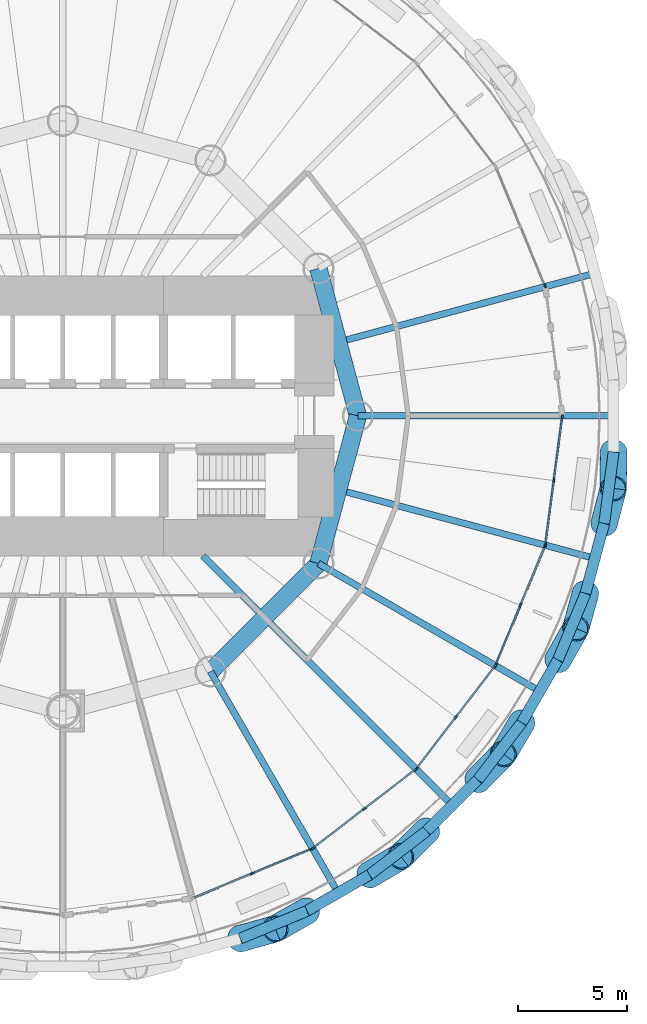
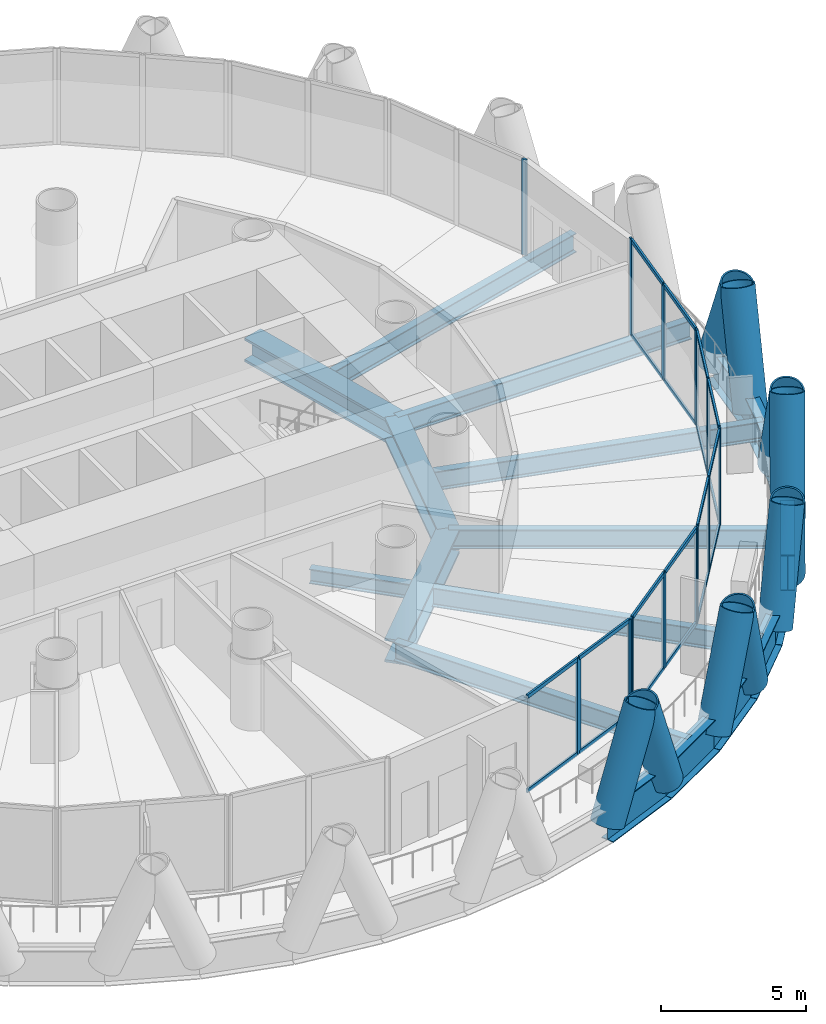
# One storey, part 4 of 16: 45 members, 19 beams, 6 elements without a shape of their own.
"""IFC4 building model written with IfcOpenShell, lengths in metres."""

from ifc_helpers import new_model, si_unit, direction, frame, origin, origin_2d, place, context, subcontext, project, spatial, rectangle, hollow_circle, i_section, extrude, material, material_profile, profile_set, type_object, element, aggregate, save


model = new_model("IFC4")

# Units and contexts
model_context = context("Model", 3, precision=1e-05, world=origin(), true_north=direction((0.0, 1.0)))
body_context = subcontext(model_context, "Body", "Model", "MODEL_VIEW")
ifc_project = project(units=[si_unit("LENGTHUNIT", "METRE"), si_unit("AREAUNIT", "SQUARE_METRE"), si_unit("VOLUMEUNIT", "CUBIC_METRE"), si_unit("PLANEANGLEUNIT", "RADIAN"), si_unit("MASSUNIT", "GRAM", prefix="KILO")], contexts=[model_context])

# Site, building, storey
site_placement = place(None, origin())
site = spatial("IfcSite", under=ifc_project, at=site_placement, CompositionType="ELEMENT")
building_placement = place(site_placement, origin())
building = spatial("IfcBuilding", under=site, at=building_placement, Name="Qaws Media Tower", CompositionType="ELEMENT")
storey_placement = place(building_placement, frame((0.0, 0.0, 63.800048828125)))
storey = spatial("IfcBuildingStorey", under=building, at=storey_placement, Name="L13", CompositionType="ELEMENT", Elevation=63.800048828125)

# Curtain wall, member
ifc_material_1 = material(Name="Aluminium and clear glass", Category="aluminium")
curtain_wall_type = type_object("IfcCurtainWallType", Name="Unitised curtain wall CW-A", PredefinedType="NOTDEFINED", material=ifc_material_1)
curtain_wall_1_placement = place(storey_placement, origin())
curtain_wall_1 = element("IfcCurtainWall", 1, at=curtain_wall_1_placement, inside=storey, type_object=curtain_wall_type, Name="CWA curtain wall L13-02", PredefinedType="NOTDEFINED")
ifc_material_2 = material(Name="Aluminium mullion", Category="aluminium")
ifc_material_profile_1 = material_profile(ifc_material_2, rectangle(XDim=0.080078125, YDim=0.199951171875, at=origin_2d()), Name="80x200")
ifc_profile_set_1 = profile_set([ifc_material_profile_1], Name="Aluminium mullion")
member_type_1 = type_object("IfcMemberType", Name="Curtain wall mullion 80x200", PredefinedType="MULLION", material=ifc_profile_set_1)
member_1_placement = place(storey_placement, frame((82.05615234375, 55.950927734375, 0.0), z_axis=(0.0, 0.0, 1.0), x_axis=(-0.923879516448, -0.382683471145, 0.0)))
member_1 = element("IfcMember", 2, at=member_1_placement, type_object=member_type_1, Name="CWA mullion 1", PredefinedType="MULLION", context=body_context, shape_type="SweptSolid", body=[
    extrude(rectangle(XDim=0.080078125, YDim=0.199951171875, at=origin_2d()), origin(), (0.0, 0.0, 1.0), 4.0400390625),
])
aggregate(curtain_wall_1, [member_1])

# Curtain wall, members
curtain_wall_2_placement = place(storey_placement, origin())
curtain_wall_2 = element("IfcCurtainWall", 3, at=curtain_wall_2_placement, inside=storey, type_object=curtain_wall_type, Name="CWA curtain wall L13-20", PredefinedType="NOTDEFINED")
member_2_placement = place(storey_placement, frame((68.66943359375, 29.070068359375, 0.0), z_axis=(0.0, 0.0, 1.0), x_axis=(-0.382683471145, 0.923879516448, 0.0)))
member_2 = element("IfcMember", 4, at=member_2_placement, type_object=member_type_1, Name="CWA mullion 2", PredefinedType="MULLION", context=body_context, shape_type="SweptSolid", body=[
    extrude(rectangle(XDim=0.080078125, YDim=0.199951171875, at=origin_2d()), origin(), (0.0, 0.0, 1.0), 4.0400390625),
])
member_3_placement = place(storey_placement, frame((71.387939453125, 30.196044921875, 0.0), z_axis=(0.0, 0.0, 1.0), x_axis=(-0.382683471145, 0.923879516448, 0.0)))
member_3 = element("IfcMember", 5, at=member_3_placement, type_object=member_type_1, Name="CWA mullion 3", PredefinedType="MULLION", context=body_context, shape_type="SweptSolid", body=[
    extrude(rectangle(XDim=0.080078125, YDim=0.199951171875, at=origin_2d()), origin(), (0.0, 0.0, 1.0), 4.0400390625),
])

curtain_wall_3_placement = place(storey_placement, origin())
curtain_wall_3 = element("IfcCurtainWall", 6, at=curtain_wall_3_placement, inside=storey, type_object=curtain_wall_type, Name="CWA curtain wall L13-21", PredefinedType="NOTDEFINED")
member_4_placement = place(storey_placement, frame((71.456787109375, 30.235595703125, 0.0), z_axis=(0.0, 0.0, 1.0), x_axis=(-0.608761369427, 0.79335338601, 0.0)))
member_4 = element("IfcMember", 7, at=member_4_placement, type_object=member_type_1, Name="CWA mullion 1", PredefinedType="MULLION", context=body_context, shape_type="SweptSolid", body=[
    extrude(rectangle(XDim=0.080078125, YDim=0.199951171875, at=origin_2d()), origin(), (0.0, 0.0, 1.0), 4.0400390625),
])
member_5_placement = place(storey_placement, frame((73.791259765625, 32.02685546875, 0.0), z_axis=(0.0, 0.0, 1.0), x_axis=(-0.608761369427, 0.79335338601, 0.0)))
member_5 = element("IfcMember", 8, at=member_5_placement, type_object=member_type_1, Name="CWA mullion 2", PredefinedType="MULLION", context=body_context, shape_type="SweptSolid", body=[
    extrude(rectangle(XDim=0.080078125, YDim=0.199951171875, at=origin_2d()), origin(), (0.0, 0.0, 1.0), 4.0400390625),
])
member_6_placement = place(storey_placement, frame((76.125732421875, 33.818359375, 0.0), z_axis=(0.0, 0.0, 1.0), x_axis=(-0.608761369427, 0.79335338601, 0.0)))
member_6 = element("IfcMember", 9, at=member_6_placement, type_object=member_type_1, Name="CWA mullion 3", PredefinedType="MULLION", context=body_context, shape_type="SweptSolid", body=[
    extrude(rectangle(XDim=0.080078125, YDim=0.199951171875, at=origin_2d()), origin(), (0.0, 0.0, 1.0), 4.0400390625),
])

curtain_wall_4_placement = place(storey_placement, origin())
curtain_wall_4 = element("IfcCurtainWall", 10, at=curtain_wall_4_placement, inside=storey, type_object=curtain_wall_type, Name="CWA curtain wall L13-22", PredefinedType="NOTDEFINED")
member_7_placement = place(storey_placement, frame((76.181640625, 33.874267578125, 0.0), z_axis=(0.0, 0.0, 1.0), x_axis=(-0.79335338601, 0.608761369427, 0.0)))
member_7 = element("IfcMember", 11, at=member_7_placement, type_object=member_type_1, Name="CWA mullion 1", PredefinedType="MULLION", context=body_context, shape_type="SweptSolid", body=[
    extrude(rectangle(XDim=0.080078125, YDim=0.199951171875, at=origin_2d()), origin(), (0.0, 0.0, 1.0), 4.0400390625),
])
member_8_placement = place(storey_placement, frame((77.97314453125, 36.208740234375, 0.0), z_axis=(0.0, 0.0, 1.0), x_axis=(-0.79335338601, 0.608761369427, 0.0)))
member_8 = element("IfcMember", 12, at=member_8_placement, type_object=member_type_1, Name="CWA mullion 2", PredefinedType="MULLION", context=body_context, shape_type="SweptSolid", body=[
    extrude(rectangle(XDim=0.080078125, YDim=0.199951171875, at=origin_2d()), origin(), (0.0, 0.0, 1.0), 4.0400390625),
])
member_9_placement = place(storey_placement, frame((79.764404296875, 38.543212890625, 0.0), z_axis=(0.0, 0.0, 1.0), x_axis=(-0.79335338601, 0.608761369427, 0.0)))
member_9 = element("IfcMember", 13, at=member_9_placement, type_object=member_type_1, Name="CWA mullion 3", PredefinedType="MULLION", context=body_context, shape_type="SweptSolid", body=[
    extrude(rectangle(XDim=0.080078125, YDim=0.199951171875, at=origin_2d()), origin(), (0.0, 0.0, 1.0), 4.0400390625),
])

curtain_wall_5_placement = place(storey_placement, origin())
curtain_wall_5 = element("IfcCurtainWall", 14, at=curtain_wall_5_placement, inside=storey, type_object=curtain_wall_type, Name="CWA curtain wall L13-23", PredefinedType="NOTDEFINED")
member_10_placement = place(storey_placement, frame((79.803955078125, 38.612060546875, 0.0), z_axis=(0.0, 0.0, 1.0), x_axis=(-0.923879516448, 0.382683471145, 0.0)))
member_10 = element("IfcMember", 15, at=member_10_placement, type_object=member_type_1, Name="CWA mullion 1", PredefinedType="MULLION", context=body_context, shape_type="SweptSolid", body=[
    extrude(rectangle(XDim=0.080078125, YDim=0.199951171875, at=origin_2d()), origin(), (0.0, 0.0, 1.0), 4.0400390625),
])
member_11_placement = place(storey_placement, frame((80.929931640625, 41.33056640625, 0.0), z_axis=(0.0, 0.0, 1.0), x_axis=(-0.923879516448, 0.382683471145, 0.0)))
member_11 = element("IfcMember", 16, at=member_11_placement, type_object=member_type_1, Name="CWA mullion 2", PredefinedType="MULLION", context=body_context, shape_type="SweptSolid", body=[
    extrude(rectangle(XDim=0.080078125, YDim=0.199951171875, at=origin_2d()), origin(), (0.0, 0.0, 1.0), 4.0400390625),
])
member_12_placement = place(storey_placement, frame((82.05615234375, 44.049072265625, 0.0), z_axis=(0.0, 0.0, 1.0), x_axis=(-0.923879516448, 0.382683471145, 0.0)))
member_12 = element("IfcMember", 17, at=member_12_placement, type_object=member_type_1, Name="CWA mullion 3", PredefinedType="MULLION", context=body_context, shape_type="SweptSolid", body=[
    extrude(rectangle(XDim=0.080078125, YDim=0.199951171875, at=origin_2d()), origin(), (0.0, 0.0, 1.0), 4.0400390625),
])

curtain_wall_6_placement = place(storey_placement, origin())
curtain_wall_6 = element("IfcCurtainWall", 18, at=curtain_wall_6_placement, inside=storey, type_object=curtain_wall_type, Name="CWA curtain wall L13-24", PredefinedType="NOTDEFINED")
member_13_placement = place(storey_placement, frame((82.07666015625, 44.125732421875, 0.0), z_axis=(0.0, 0.0, 1.0), x_axis=(-0.991444858023, 0.130526217674, 0.0)))
member_13 = element("IfcMember", 19, at=member_13_placement, type_object=member_type_1, Name="CWA mullion 1", PredefinedType="MULLION", context=body_context, shape_type="SweptSolid", body=[
    extrude(rectangle(XDim=0.080078125, YDim=0.199951171875, at=origin_2d()), origin(), (0.0, 0.0, 1.0), 4.0400390625),
])
member_14_placement = place(storey_placement, frame((82.460693359375, 47.04296875, 0.0), z_axis=(0.0, 0.0, 1.0), x_axis=(-0.991444858023, 0.130526217674, 0.0)))
member_14 = element("IfcMember", 20, at=member_14_placement, type_object=member_type_1, Name="CWA mullion 2", PredefinedType="MULLION", context=body_context, shape_type="SweptSolid", body=[
    extrude(rectangle(XDim=0.080078125, YDim=0.199951171875, at=origin_2d()), origin(), (0.0, 0.0, 1.0), 4.0400390625),
])
member_15_placement = place(storey_placement, frame((82.8447265625, 49.96044921875, 0.0), z_axis=(0.0, 0.0, 1.0), x_axis=(-0.991444858023, 0.130526217674, 0.0)))
member_15 = element("IfcMember", 21, at=member_15_placement, type_object=member_type_1, Name="CWA mullion 3", PredefinedType="MULLION", context=body_context, shape_type="SweptSolid", body=[
    extrude(rectangle(XDim=0.080078125, YDim=0.199951171875, at=origin_2d()), origin(), (0.0, 0.0, 1.0), 4.0400390625),
])

# Member
ifc_material_3 = material(Name="Aluminium transom", Category="aluminium")
ifc_material_profile_2 = material_profile(ifc_material_3, rectangle(XDim=0.080078125, YDim=0.159912109375, at=origin_2d()), Name="80x160")
ifc_profile_set_2 = profile_set([ifc_material_profile_2], Name="Aluminium transom")
member_type_2 = type_object("IfcMemberType", Name="Curtain wall transom 80x160", PredefinedType="USERDEFINED", material=ifc_profile_set_2)
member_16_placement = place(storey_placement, frame((65.988037109375, 27.959228515625, 0.0400390625), z_axis=(0.923872334596, 0.382700809207, 0.0), x_axis=(-0.382700809207, 0.923872334596, 0.0)))
member_16 = element("IfcMember", 22, at=member_16_placement, type_object=member_type_2, Name="CWA transom 1.1", ObjectType="TRANSOM", PredefinedType="USERDEFINED", context=body_context, shape_type="SweptSolid", body=[
    extrude(rectangle(XDim=0.080078125, YDim=0.159912109375, at=origin_2d()), origin(), (0.0, 0.0, 1.0), 2.862548828125),
])

member_17_placement = place(storey_placement, frame((65.988037109375, 27.959228515625, 4.0), z_axis=(0.923872334596, 0.382700809207, 0.0), x_axis=(-0.382700809207, 0.923872334596, 0.0)))
member_17 = element("IfcMember", 23, at=member_17_placement, type_object=member_type_2, Name="CWA transom 1.2", ObjectType="TRANSOM", PredefinedType="USERDEFINED", context=body_context, shape_type="SweptSolid", body=[
    extrude(rectangle(XDim=0.080078125, YDim=0.159912109375, at=origin_2d()), origin(), (0.0, 0.0, 1.0), 2.862548828125),
])

member_18_placement = place(storey_placement, frame((68.70654296875, 29.085205078125, 0.0400390625), z_axis=(0.923872334596, 0.382700809207, 0.0), x_axis=(-0.382700809207, 0.923872334596, 0.0)))
member_18 = element("IfcMember", 24, at=member_18_placement, type_object=member_type_2, Name="CWA transom 2.1", ObjectType="TRANSOM", PredefinedType="USERDEFINED", context=body_context, shape_type="SweptSolid", body=[
    extrude(rectangle(XDim=0.080078125, YDim=0.159912109375, at=origin_2d()), origin(), (0.0, 0.0, 1.0), 2.862548828125),
])

member_19_placement = place(storey_placement, frame((68.70654296875, 29.085205078125, 4.0), z_axis=(0.923872334596, 0.382700809207, 0.0), x_axis=(-0.382700809207, 0.923872334596, 0.0)))
member_19 = element("IfcMember", 25, at=member_19_placement, type_object=member_type_2, Name="CWA transom 2.2", ObjectType="TRANSOM", PredefinedType="USERDEFINED", context=body_context, shape_type="SweptSolid", body=[
    extrude(rectangle(XDim=0.080078125, YDim=0.159912109375, at=origin_2d()), origin(), (0.0, 0.0, 1.0), 2.862548828125),
])

aggregate(curtain_wall_2, [member_2, member_3, member_16, member_17, member_18, member_19])

member_20_placement = place(storey_placement, frame((71.488525390625, 30.260009765625, 0.0400390625), z_axis=(0.793339979648, 0.608778840543, 0.0), x_axis=(-0.608778840543, 0.793339979648, 0.0)))
member_20 = element("IfcMember", 26, at=member_20_placement, type_object=member_type_2, Name="CWA transom 1.1", ObjectType="TRANSOM", PredefinedType="USERDEFINED", context=body_context, shape_type="SweptSolid", body=[
    extrude(rectangle(XDim=0.080078125, YDim=0.159912109375, at=origin_2d()), origin(), (0.0, 0.0, 1.0), 2.862548828125),
])

member_21_placement = place(storey_placement, frame((71.488525390625, 30.260009765625, 4.0), z_axis=(0.793339979648, 0.608778840543, 0.0), x_axis=(-0.608778840543, 0.793339979648, 0.0)))
member_21 = element("IfcMember", 27, at=member_21_placement, type_object=member_type_2, Name="CWA transom 1.2", ObjectType="TRANSOM", PredefinedType="USERDEFINED", context=body_context, shape_type="SweptSolid", body=[
    extrude(rectangle(XDim=0.080078125, YDim=0.159912109375, at=origin_2d()), origin(), (0.0, 0.0, 1.0), 2.862548828125),
])

member_22_placement = place(storey_placement, frame((73.822998046875, 32.05126953125, 0.0400390625), z_axis=(0.793339979648, 0.608778840543, 0.0), x_axis=(-0.608778840543, 0.793339979648, 0.0)))
member_22 = element("IfcMember", 28, at=member_22_placement, type_object=member_type_2, Name="CWA transom 2.1", ObjectType="TRANSOM", PredefinedType="USERDEFINED", context=body_context, shape_type="SweptSolid", body=[
    extrude(rectangle(XDim=0.080078125, YDim=0.159912109375, at=origin_2d()), origin(), (0.0, 0.0, 1.0), 2.862548828125),
])

member_23_placement = place(storey_placement, frame((73.822998046875, 32.05126953125, 4.0), z_axis=(0.793339979648, 0.608778840543, 0.0), x_axis=(-0.608778840543, 0.793339979648, 0.0)))
member_23 = element("IfcMember", 29, at=member_23_placement, type_object=member_type_2, Name="CWA transom 2.2", ObjectType="TRANSOM", PredefinedType="USERDEFINED", context=body_context, shape_type="SweptSolid", body=[
    extrude(rectangle(XDim=0.080078125, YDim=0.159912109375, at=origin_2d()), origin(), (0.0, 0.0, 1.0), 2.862548828125),
])

aggregate(curtain_wall_3, [member_4, member_5, member_6, member_20, member_21, member_22, member_23])

member_24_placement = place(storey_placement, frame((76.2060546875, 33.906005859375, 0.0400390625), z_axis=(0.608778840543, 0.793339979648, 0.0), x_axis=(-0.793339979648, 0.608778840543, 0.0)))
member_24 = element("IfcMember", 30, at=member_24_placement, type_object=member_type_2, Name="CWA transom 1.1", ObjectType="TRANSOM", PredefinedType="USERDEFINED", context=body_context, shape_type="SweptSolid", body=[
    extrude(rectangle(XDim=0.080078125, YDim=0.159912109375, at=origin_2d()), origin(), (0.0, 0.0, 1.0), 2.862548828125),
])

member_25_placement = place(storey_placement, frame((76.2060546875, 33.906005859375, 4.0), z_axis=(0.608778840543, 0.793339979648, 0.0), x_axis=(-0.793339979648, 0.608778840543, 0.0)))
member_25 = element("IfcMember", 31, at=member_25_placement, type_object=member_type_2, Name="CWA transom 1.2", ObjectType="TRANSOM", PredefinedType="USERDEFINED", context=body_context, shape_type="SweptSolid", body=[
    extrude(rectangle(XDim=0.080078125, YDim=0.159912109375, at=origin_2d()), origin(), (0.0, 0.0, 1.0), 2.862548828125),
])

member_26_placement = place(storey_placement, frame((77.997314453125, 36.240478515625, 0.0400390625), z_axis=(0.608778840543, 0.793339979648, 0.0), x_axis=(-0.793339979648, 0.608778840543, 0.0)))
member_26 = element("IfcMember", 32, at=member_26_placement, type_object=member_type_2, Name="CWA transom 2.1", ObjectType="TRANSOM", PredefinedType="USERDEFINED", context=body_context, shape_type="SweptSolid", body=[
    extrude(rectangle(XDim=0.080078125, YDim=0.159912109375, at=origin_2d()), origin(), (0.0, 0.0, 1.0), 2.862548828125),
])

member_27_placement = place(storey_placement, frame((77.997314453125, 36.240478515625, 4.0), z_axis=(0.608778840543, 0.793339979648, 0.0), x_axis=(-0.793339979648, 0.608778840543, 0.0)))
member_27 = element("IfcMember", 33, at=member_27_placement, type_object=member_type_2, Name="CWA transom 2.2", ObjectType="TRANSOM", PredefinedType="USERDEFINED", context=body_context, shape_type="SweptSolid", body=[
    extrude(rectangle(XDim=0.080078125, YDim=0.159912109375, at=origin_2d()), origin(), (0.0, 0.0, 1.0), 2.862548828125),
])

aggregate(curtain_wall_4, [member_7, member_8, member_9, member_24, member_25, member_26, member_27])

member_28_placement = place(storey_placement, frame((79.8193359375, 38.64892578125, 0.0400390625), z_axis=(0.382700809207, 0.923872334596, 0.0), x_axis=(-0.923872334596, 0.382700809207, 0.0)))
member_28 = element("IfcMember", 34, at=member_28_placement, type_object=member_type_2, Name="CWA transom 1.1", ObjectType="TRANSOM", PredefinedType="USERDEFINED", context=body_context, shape_type="SweptSolid", body=[
    extrude(rectangle(XDim=0.080078125, YDim=0.159912109375, at=origin_2d()), origin(), (0.0, 0.0, 1.0), 2.862548828125),
])

member_29_placement = place(storey_placement, frame((79.8193359375, 38.64892578125, 4.0), z_axis=(0.382700809207, 0.923872334596, 0.0), x_axis=(-0.923872334596, 0.382700809207, 0.0)))
member_29 = element("IfcMember", 35, at=member_29_placement, type_object=member_type_2, Name="CWA transom 1.2", ObjectType="TRANSOM", PredefinedType="USERDEFINED", context=body_context, shape_type="SweptSolid", body=[
    extrude(rectangle(XDim=0.080078125, YDim=0.159912109375, at=origin_2d()), origin(), (0.0, 0.0, 1.0), 2.862548828125),
])

member_30_placement = place(storey_placement, frame((80.9453125, 41.367431640625, 0.0400390625), z_axis=(0.382700809207, 0.923872334596, 0.0), x_axis=(-0.923872334596, 0.382700809207, 0.0)))
member_30 = element("IfcMember", 36, at=member_30_placement, type_object=member_type_2, Name="CWA transom 2.1", ObjectType="TRANSOM", PredefinedType="USERDEFINED", context=body_context, shape_type="SweptSolid", body=[
    extrude(rectangle(XDim=0.080078125, YDim=0.159912109375, at=origin_2d()), origin(), (0.0, 0.0, 1.0), 2.862548828125),
])

member_31_placement = place(storey_placement, frame((80.9453125, 41.367431640625, 4.0), z_axis=(0.382700809207, 0.923872334596, 0.0), x_axis=(-0.923872334596, 0.382700809207, 0.0)))
member_31 = element("IfcMember", 37, at=member_31_placement, type_object=member_type_2, Name="CWA transom 2.2", ObjectType="TRANSOM", PredefinedType="USERDEFINED", context=body_context, shape_type="SweptSolid", body=[
    extrude(rectangle(XDim=0.080078125, YDim=0.159912109375, at=origin_2d()), origin(), (0.0, 0.0, 1.0), 2.862548828125),
])

aggregate(curtain_wall_5, [member_10, member_11, member_12, member_28, member_29, member_30, member_31])

member_32_placement = place(storey_placement, frame((82.081787109375, 44.165283203125, 0.0400390625), z_axis=(0.130571437549, 0.991438903663, 0.0), x_axis=(-0.991438903663, 0.130571437549, 0.0)))
member_32 = element("IfcMember", 38, at=member_32_placement, type_object=member_type_2, Name="CWA transom 1.1", ObjectType="TRANSOM", PredefinedType="USERDEFINED", context=body_context, shape_type="SweptSolid", body=[
    extrude(rectangle(XDim=0.080078125, YDim=0.159912109375, at=origin_2d()), origin(), (0.0, 0.0, 1.0), 2.862548828125),
])

member_33_placement = place(storey_placement, frame((82.081787109375, 44.165283203125, 4.0), z_axis=(0.130571437549, 0.991438903663, 0.0), x_axis=(-0.991438903663, 0.130571437549, 0.0)))
member_33 = element("IfcMember", 39, at=member_33_placement, type_object=member_type_2, Name="CWA transom 1.2", ObjectType="TRANSOM", PredefinedType="USERDEFINED", context=body_context, shape_type="SweptSolid", body=[
    extrude(rectangle(XDim=0.080078125, YDim=0.159912109375, at=origin_2d()), origin(), (0.0, 0.0, 1.0), 2.862548828125),
])

member_34_placement = place(storey_placement, frame((82.4658203125, 47.082763671875, 0.0400390625), z_axis=(0.130582478934, 0.991437449462, 0.0), x_axis=(-0.991437449462, 0.130582478934, 0.0)))
member_34 = element("IfcMember", 40, at=member_34_placement, type_object=member_type_2, Name="CWA transom 2.1", ObjectType="TRANSOM", PredefinedType="USERDEFINED", context=body_context, shape_type="SweptSolid", body=[
    extrude(rectangle(XDim=0.080078125, YDim=0.159912109375, at=origin_2d()), origin(), (0.0, 0.0, 1.0), 2.8623046875),
])

member_35_placement = place(storey_placement, frame((82.4658203125, 47.082763671875, 4.0), z_axis=(0.130582478934, 0.991437449462, 0.0), x_axis=(-0.991437449462, 0.130582478934, 0.0)))
member_35 = element("IfcMember", 41, at=member_35_placement, type_object=member_type_2, Name="CWA transom 2.2", ObjectType="TRANSOM", PredefinedType="USERDEFINED", context=body_context, shape_type="SweptSolid", body=[
    extrude(rectangle(XDim=0.080078125, YDim=0.159912109375, at=origin_2d()), origin(), (0.0, 0.0, 1.0), 2.8623046875),
])

aggregate(curtain_wall_6, [member_13, member_14, member_15, member_32, member_33, member_34, member_35])

# Members
ifc_material_4 = material(Name="Steel S460", Category="steel")
ifc_material_profile_3 = material_profile(ifc_material_4, hollow_circle(Radius=0.609619140625, WallThickness=0.06005859375, at=origin_2d()), Name="CHS 1219x60")
ifc_profile_set_3 = profile_set([ifc_material_profile_3], Name="Steel S460")
member_type_3 = type_object("IfcMemberType", Name="Diagrid member CHS 1219x60", PredefinedType="USERDEFINED", material=ifc_profile_set_3)
for number, where, z_axis, x_axis, name in (
    (42, (85.196044921875, 48.3486328125, -0.91015625), (-0.002972154616, -0.368331015728, 0.929689963993), (0.999967445201, -0.008068986134, 0.0), "DG1 diagrid L13 B01"),
    (43, (68.116455078125, 26.090087890625, -0.91015625), (0.354989178007, 0.098136755558, 0.929705254748), (-0.266455553014, 0.96384720691, 0.0), "DG1 diagrid L13 A20"),
    (44, (74.028076171875, 29.00537109375, -0.91015625), (0.317532559387, 0.186704389496, 0.929685185787), (-0.506859837862, 0.86202848257, 0.0), "DG1 diagrid L13 A21"),
    (45, (71.167724609375, 27.35400390625, -0.91015625), (-0.320403656582, -0.1816287215, 0.929705600916), (0.493149544005, -0.869944554123, 0.0), "DG1 diagrid L13 B21"),
    (46, (78.98388671875, 33.3515625, -0.91015625), (0.25836599958, 0.262473051655, 0.929706893282), (-0.712660482364, 0.701509113894, 0.0), "DG1 diagrid L13 A22"),
    (47, (76.6484375, 31.01611328125, -0.91015625), (-0.262473051655, -0.25836599958, 0.929706893282), (0.701509113894, -0.712660482364, 0.0), "DG1 diagrid L13 B22"),
    (48, (82.64599609375, 38.832275390625, -0.91015625), (0.1816287215, 0.320403656582, 0.929705600916), (-0.869944554123, 0.493149544005, 0.0), "DG1 diagrid L13 A23"),
    (49, (80.99462890625, 35.971923828125, -0.91015625), (-0.186704389496, -0.317532559387, 0.929685185787), (0.86202848257, -0.506859837862, 0.0), "DG1 diagrid L13 B23"),
    (50, (84.764892578125, 45.073974609375, -0.91015625), (0.09246277664, 0.356503177963, 0.929707544897), (-0.967973130471, 0.251053816316, 0.0), "DG1 diagrid L13 A24"),
    (51, (83.909912109375, 41.883544921875, -0.91015625), (-0.098136755558, -0.354989178007, 0.929705254748), (0.96384720691, -0.266455553014, 0.0), "DG1 diagrid L13 B24"),
):
    element("IfcMember", number, at=place(storey_placement, frame(where, z_axis=z_axis, x_axis=x_axis)), inside=storey, type_object=member_type_3, Name=name, ObjectType="DIAGRID", PredefinedType="USERDEFINED", context=body_context, shape_type="SweptSolid", body=[
        extrude(hollow_circle(Radius=0.609619140625, WallThickness=0.06005859375, at=origin_2d()), origin(), (0.0, 0.0, 1.0), 4.517822265625),
    ])

# Beams
ifc_material_5 = material(Name="Steel S460", Category="steel")
ifc_material_profile_4 = material_profile(ifc_material_5, i_section(OverallWidth=0.5, OverallDepth=1.5, WebThickness=0.02001953125, FlangeThickness=0.0400390625, at=origin_2d()), Name="PG 1500x500")
ifc_profile_set_4 = profile_set([ifc_material_profile_4], Name="Steel S460")
beam_type_1 = type_object("IfcBeamType", Name="Edge ring beam PG 1500x500", PredefinedType="BEAM", material=ifc_profile_set_4)
for number, where, z_axis, x_axis, name in (
    (52, (68.116455078125, 26.090087890625, -0.91015625), (0.92387537962, 0.382693458177, 0.0), (-0.382693458177, 0.92387537962, 0.0), "RB4 edge ring beam L13-39"),
    (53, (71.167724609375, 27.35400390625, -0.91015625), (0.866032949645, 0.499986929959, 0.0), (-0.499986929959, 0.866032949645, 0.0), "RB4 edge ring beam L13-40"),
):
    element("IfcBeam", number, at=place(storey_placement, frame(where, z_axis=z_axis, x_axis=x_axis)), inside=storey, type_object=beam_type_1, Name=name, PredefinedType="BEAM", context=body_context, shape_type="SweptSolid", body=[
        extrude(i_section(OverallWidth=0.5, OverallDepth=1.5, WebThickness=0.02001953125, FlangeThickness=0.0400390625, at=origin_2d()), origin(), (0.0, 0.0, 1.0), 3.302734375),
    ])
beam_1_placement = place(storey_placement, frame((74.028076171875, 29.00537109375, -0.91015625), z_axis=(0.793343364577, 0.608774429392, 0.0), x_axis=(-0.608774429392, 0.793343364577, 0.0)))
element("IfcBeam", 54, at=beam_1_placement, inside=storey, type_object=beam_type_1, Name="RB4 edge ring beam L13-41", PredefinedType="BEAM", context=body_context, shape_type="SweptSolid", body=[
    extrude(i_section(OverallWidth=0.5, OverallDepth=1.5, WebThickness=0.02001953125, FlangeThickness=0.0400390625, at=origin_2d()), origin(), (0.0, 0.0, 1.0), 3.302978515625),
])
beam_2_placement = place(storey_placement, frame((76.6484375, 31.01611328125, -0.91015625), z_axis=(0.707106781187, 0.707106781187, 0.0), x_axis=(-0.707106781187, 0.707106781187, 0.0)))
element("IfcBeam", 55, at=beam_2_placement, inside=storey, type_object=beam_type_1, Name="RB4 edge ring beam L13-42", PredefinedType="BEAM", context=body_context, shape_type="SweptSolid", body=[
    extrude(i_section(OverallWidth=0.5, OverallDepth=1.5, WebThickness=0.02001953125, FlangeThickness=0.0400390625, at=origin_2d()), origin(), (0.0, 0.0, 1.0), 3.302734375),
])
beam_3_placement = place(storey_placement, frame((78.98388671875, 33.3515625, -0.91015625), z_axis=(0.608774429392, 0.793343364577, 0.0), x_axis=(-0.793343364577, 0.608774429392, 0.0)))
element("IfcBeam", 56, at=beam_3_placement, inside=storey, type_object=beam_type_1, Name="RB4 edge ring beam L13-43", PredefinedType="BEAM", context=body_context, shape_type="SweptSolid", body=[
    extrude(i_section(OverallWidth=0.5, OverallDepth=1.5, WebThickness=0.02001953125, FlangeThickness=0.0400390625, at=origin_2d()), origin(), (0.0, 0.0, 1.0), 3.302978515625),
])
for number, where, z_axis, x_axis, name in (
    (57, (80.99462890625, 35.971923828125, -0.91015625), (0.499986929959, 0.866032949645, 0.0), (-0.866032949645, 0.499986929959, 0.0), "RB4 edge ring beam L13-44"),
    (58, (82.64599609375, 38.832275390625, -0.91015625), (0.382693458177, 0.92387537962, 0.0), (-0.92387537962, 0.382693458177, 0.0), "RB4 edge ring beam L13-45"),
):
    element("IfcBeam", number, at=place(storey_placement, frame(where, z_axis=z_axis, x_axis=x_axis)), inside=storey, type_object=beam_type_1, Name=name, PredefinedType="BEAM", context=body_context, shape_type="SweptSolid", body=[
        extrude(i_section(OverallWidth=0.5, OverallDepth=1.5, WebThickness=0.02001953125, FlangeThickness=0.0400390625, at=origin_2d()), origin(), (0.0, 0.0, 1.0), 3.302734375),
    ])
for number, where, z_axis, x_axis, name in (
    (59, (83.909912109375, 41.883544921875, -0.91015625), (0.258849385643, 0.965917696055, 0.0), (-0.965917696055, 0.258849385643, 0.0), "RB4 edge ring beam L13-46"),
    (60, (84.764892578125, 45.073974609375, -0.91015625), (0.130536731142, 0.991443473841, 0.0), (-0.991443473841, 0.130536731142, 0.0), "RB4 edge ring beam L13-47"),
):
    element("IfcBeam", number, at=place(storey_placement, frame(where, z_axis=z_axis, x_axis=x_axis)), inside=storey, type_object=beam_type_1, Name=name, PredefinedType="BEAM", context=body_context, shape_type="SweptSolid", body=[
        extrude(i_section(OverallWidth=0.5, OverallDepth=1.5, WebThickness=0.02001953125, FlangeThickness=0.0400390625, at=origin_2d()), origin(), (0.0, 0.0, 1.0), 3.302978515625),
    ])
ifc_material_6 = material(Name="Steel S460", Category="steel")
ifc_material_profile_5 = material_profile(ifc_material_6, i_section(OverallWidth=0.800048828125, OverallDepth=1.0, WebThickness=0.0400390625, FlangeThickness=0.10009765625, at=origin_2d()), Name="PG 1000x800")
ifc_profile_set_5 = profile_set([ifc_material_profile_5], Name="Steel S460")
beam_type_2 = type_object("IfcBeamType", Name="Inner ring girder PG 1000x800", PredefinedType="BEAM", material=ifc_profile_set_5)
beam_4_placement = place(storey_placement, frame((73.5, 50.0, -0.66015625), z_axis=(-0.258810593767, 0.965928090778, 0.0), x_axis=(-0.965928090778, -0.258810593767, 0.0)))
element("IfcBeam", 61, at=beam_4_placement, inside=storey, type_object=beam_type_2, Name="B3 inner ring beam L13 I01-I02", PredefinedType="BEAM", context=body_context, shape_type="SweptSolid", body=[
    extrude(i_section(OverallWidth=0.800048828125, OverallDepth=1.0, WebThickness=0.0400390625, FlangeThickness=0.10009765625, at=origin_2d()), origin(), (0.0, 0.0, 1.0), 6.988037109375),
])
beam_5_placement = place(storey_placement, frame((66.75, 38.30859375, -0.66015625), z_axis=(0.707106781187, 0.707106781187, 0.0), x_axis=(-0.707106781187, 0.707106781187, 0.0)))
element("IfcBeam", 62, at=beam_5_placement, inside=storey, type_object=beam_type_2, Name="B3 inner ring beam L13 I11-I12", PredefinedType="BEAM", context=body_context, shape_type="SweptSolid", body=[
    extrude(i_section(OverallWidth=0.800048828125, OverallDepth=1.0, WebThickness=0.0400390625, FlangeThickness=0.10009765625, at=origin_2d()), origin(), (0.0, 0.0, 1.0), 6.98828125),
])
beam_6_placement = place(storey_placement, frame((71.69140625, 43.25, -0.66015625), z_axis=(0.258810593767, 0.965928090778, 0.0), x_axis=(-0.965928090778, 0.258810593767, 0.0)))
element("IfcBeam", 63, at=beam_6_placement, inside=storey, type_object=beam_type_2, Name="B3 inner ring beam L13 I12-I01", PredefinedType="BEAM", context=body_context, shape_type="SweptSolid", body=[
    extrude(i_section(OverallWidth=0.800048828125, OverallDepth=1.0, WebThickness=0.0400390625, FlangeThickness=0.10009765625, at=origin_2d()), origin(), (0.0, 0.0, 1.0), 6.988037109375),
])
ifc_material_7 = material(Name="Steel S355", Category="steel")
ifc_material_profile_6 = material_profile(ifc_material_7, i_section(OverallWidth=0.304931640625, OverallDepth=0.6201171875, WebThickness=0.02099609375, FlangeThickness=0.0400390625, FilletRadius=0.027099609375, at=origin_2d()), Name="HE 600 M")
ifc_profile_set_6 = profile_set([ifc_material_profile_6], Name="Steel S355")
beam_type_3 = type_object("IfcBeamType", Name="Radial beam HE 600 M, core side", PredefinedType="BEAM", material=ifc_profile_set_6)
beam_7_placement = place(storey_placement, frame((66.39990234375, 43.60009765625, -0.469970703125), z_axis=(0.707106781187, -0.707106781187, 0.0), x_axis=(0.707106781187, 0.707106781187, 0.0)))
element("IfcBeam", 64, at=beam_7_placement, inside=storey, type_object=beam_type_3, Name="B2 radial beam L13 22", PredefinedType="BEAM", context=body_context, shape_type="SweptSolid", body=[
    extrude(i_section(OverallWidth=0.304931640625, OverallDepth=0.6201171875, WebThickness=0.02099609375, FlangeThickness=0.0400390625, FilletRadius=0.027099609375, at=origin_2d()), origin(), (0.0, 0.0, 1.0), 3.589111328125),
])
ifc_material_8 = material(Name="Steel S355", Category="steel")
ifc_material_profile_7 = material_profile(ifc_material_8, i_section(OverallWidth=0.300048828125, OverallDepth=0.800048828125, WebThickness=0.017578125, FlangeThickness=0.032958984375, FilletRadius=0.030029296875, at=origin_2d()), Name="HE 800 B")
ifc_profile_set_7 = profile_set([ifc_material_profile_7], Name="Steel S355")
beam_type_4 = type_object("IfcBeamType", Name="Radial beam HE 800 B", PredefinedType="BEAM", material=ifc_profile_set_7)
beam_8_placement = place(storey_placement, frame((73.5, 50.0, -0.56005859375), z_axis=(1.0, 0.0, 0.0), x_axis=(0.0, 1.0, 0.0)))
element("IfcBeam", 65, at=beam_8_placement, inside=storey, type_object=beam_type_4, Name="B1 radial beam L13 01", PredefinedType="BEAM", context=body_context, shape_type="SweptSolid", body=[
    extrude(i_section(OverallWidth=0.300048828125, OverallDepth=0.800048828125, WebThickness=0.017578125, FlangeThickness=0.032958984375, FilletRadius=0.030029296875, at=origin_2d()), origin(), (0.0, 0.0, 1.0), 11.696044921875),
])
beam_9_placement = place(storey_placement, frame((72.98193359375, 53.478515625, -0.56005859375), z_axis=(0.96592506225, 0.258821896518, 0.0), x_axis=(-0.258821896518, 0.96592506225, 0.0)))
element("IfcBeam", 66, at=beam_9_placement, inside=storey, type_object=beam_type_4, Name="B1 radial beam L13 02", PredefinedType="BEAM", context=body_context, shape_type="SweptSolid", body=[
    extrude(i_section(OverallWidth=0.300048828125, OverallDepth=0.800048828125, WebThickness=0.017578125, FlangeThickness=0.032958984375, FilletRadius=0.030029296875, at=origin_2d()), origin(), (0.0, 0.0, 1.0), 11.756103515625),
])
beam_10_placement = place(storey_placement, frame((66.75, 38.30859375, -0.56005859375), z_axis=(0.499998309692, -0.866026379682, 0.0), x_axis=(0.866026379682, 0.499998309692, 0.0)))
element("IfcBeam", 67, at=beam_10_placement, inside=storey, type_object=beam_type_4, Name="B1 radial beam L13 21", PredefinedType="BEAM", context=body_context, shape_type="SweptSolid", body=[
    extrude(i_section(OverallWidth=0.300048828125, OverallDepth=0.800048828125, WebThickness=0.017578125, FlangeThickness=0.032958984375, FilletRadius=0.030029296875, at=origin_2d()), origin(), (0.0, 0.0, 1.0), 11.69580078125),
])
beam_11_placement = place(storey_placement, frame((69.50341796875, 40.49658203125, -0.56005859375), z_axis=(0.707106781187, -0.707106781187, 0.0), x_axis=(0.707106781187, 0.707106781187, 0.0)))
element("IfcBeam", 68, at=beam_11_placement, inside=storey, type_object=beam_type_4, Name="B1 radial beam L13 22", PredefinedType="BEAM", context=body_context, shape_type="SweptSolid", body=[
    extrude(i_section(OverallWidth=0.300048828125, OverallDepth=0.800048828125, WebThickness=0.017578125, FlangeThickness=0.032958984375, FilletRadius=0.030029296875, at=origin_2d()), origin(), (0.0, 0.0, 1.0), 11.756103515625),
])
beam_12_placement = place(storey_placement, frame((71.69140625, 43.25, -0.56005859375), z_axis=(0.866026379682, -0.499998309692, 0.0), x_axis=(0.499998309692, 0.866026379682, 0.0)))
element("IfcBeam", 69, at=beam_12_placement, inside=storey, type_object=beam_type_4, Name="B1 radial beam L13 23", PredefinedType="BEAM", context=body_context, shape_type="SweptSolid", body=[
    extrude(i_section(OverallWidth=0.300048828125, OverallDepth=0.800048828125, WebThickness=0.017578125, FlangeThickness=0.032958984375, FilletRadius=0.030029296875, at=origin_2d()), origin(), (0.0, 0.0, 1.0), 11.69580078125),
])
beam_13_placement = place(storey_placement, frame((72.98193359375, 46.521484375, -0.56005859375), z_axis=(0.96592506225, -0.258821896518, 0.0), x_axis=(0.258821896518, 0.96592506225, 0.0)))
element("IfcBeam", 70, at=beam_13_placement, inside=storey, type_object=beam_type_4, Name="B1 radial beam L13 24", PredefinedType="BEAM", context=body_context, shape_type="SweptSolid", body=[
    extrude(i_section(OverallWidth=0.300048828125, OverallDepth=0.800048828125, WebThickness=0.017578125, FlangeThickness=0.032958984375, FilletRadius=0.030029296875, at=origin_2d()), origin(), (0.0, 0.0, 1.0), 11.756103515625),
])

save(model, "model.ifc")
